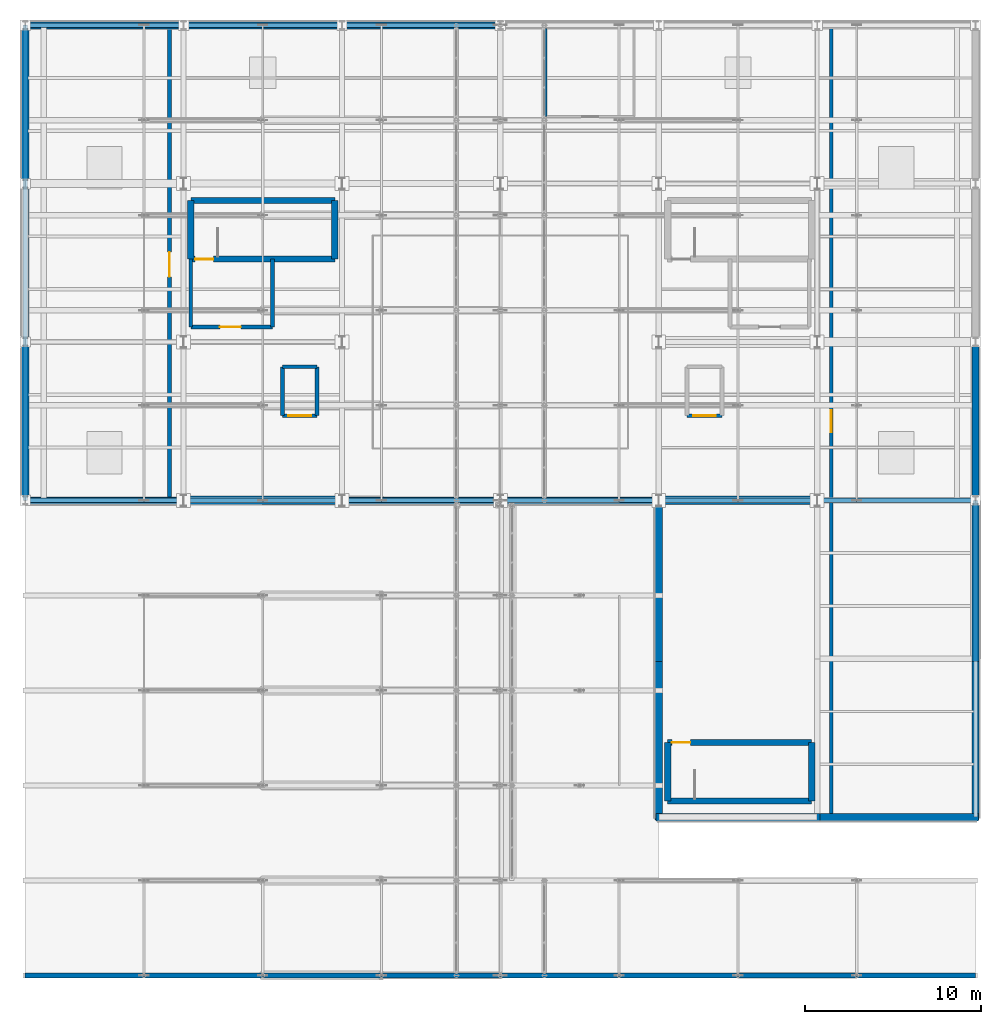
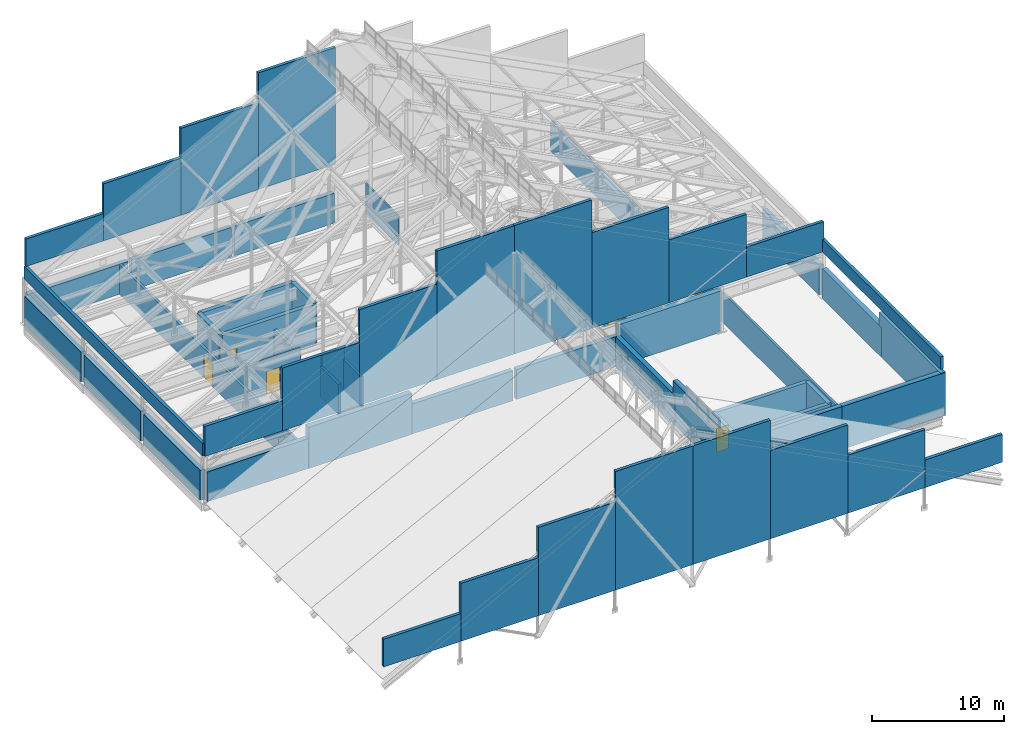
# One storey, part 82 of 84: 59 walls, 7 doors, 7 openings.
"""IFC4 building model written with IfcOpenShell, lengths in metres."""

from ifc_helpers import new_model, si_unit, direction, frame, frame_2d, origin, place, context, subcontext, project, spatial, rectangle, extrude, material, layer, layer_set, type_object, element, fill, save


model = new_model("IFC4")

# Units and contexts
model_context = context("Model", 3, precision=1e-05, world=origin(), true_north=direction((0.0, 1.0)))
body_context = subcontext(model_context, "Body", "Model", "MODEL_VIEW")
ifc_project = project(units=[si_unit("LENGTHUNIT", "METRE"), si_unit("AREAUNIT", "SQUARE_METRE"), si_unit("VOLUMEUNIT", "CUBIC_METRE"), si_unit("PLANEANGLEUNIT", "RADIAN"), si_unit("MASSUNIT", "GRAM", prefix="KILO")], contexts=[model_context])

# Site, building, storey
site_placement = place(None, origin())
site = spatial("IfcSite", under=ifc_project, at=site_placement, CompositionType="ELEMENT")
building_placement = place(site_placement, origin())
building = spatial("IfcBuilding", under=site, at=building_placement, Name="Sundgate Opera House", CompositionType="ELEMENT")
storey_placement = place(building_placement, frame((0.0, 0.0, 30.60009765625)))
storey = spatial("IfcBuildingStorey", under=building, at=storey_placement, Name="L06", CompositionType="ELEMENT", Elevation=30.60009765625)

# Wall, opening, door
ifc_material_1 = material(Name="Concrete C40/50", Category="concrete")
ifc_layer_1 = layer(ifc_material_1, 0.35009765625)
ifc_layer_set_1 = layer_set([ifc_layer_1], Name="Concrete C40/50")
wall_type_1 = type_object("IfcWallType", Name="WL-CORE-350", PredefinedType="SHEAR", material=ifc_layer_set_1)
wall_1_placement = place(storey_placement, frame((36.409912109375, 73.7099609375, 0.0), z_axis=(0.0, 0.0, 1.0), x_axis=(1.0, 0.0, 0.0)))
wall_1 = element("IfcWall", 1, at=wall_1_placement, inside=storey, type_object=wall_type_1, Name="L06 C2 South Shaft Wall", PredefinedType="SHEAR", context=body_context, shape_type="SweptSolid", body=[
    extrude(rectangle(XDim=8.18017578125, YDim=0.35009765625, at=frame_2d((4.090087890625, 0.0))), origin(), (0.0, 0.0, 1.0), 3.7998046875),
])
opening_1_placement = place(wall_1_placement, frame((0.239990234375, 0.0, 0.0)))
opening_1 = element("IfcOpeningElement", 2, at=opening_1_placement, cuts=wall_1, Name="Opening DI01", PredefinedType="OPENING", context=body_context, shape_type="SweptSolid", body=[
    extrude(rectangle(XDim=1.050048828125, YDim=2.179931640625, at=frame_2d((0.52490234375, 1.08984375))), frame((0.0, 0.18505859375, 0.0), z_axis=(0.0, -1.0, 0.0), x_axis=(1.0, 0.0, 0.0)), (0.0, 0.0, 1.0), 0.3701171875),
])
ifc_material_2 = material(Name="Acoustic hardwood timber and steel core", Category="steel")
door_type_1 = type_object("IfcDoorType", Name="DR-STAIR-1050x2180", OperationType="NOTDEFINED", PredefinedType="DOOR", material=ifc_material_2)
door_1_placement = place(opening_1_placement, origin())
door_1 = element("IfcDoor", 3, at=door_1_placement, inside=storey, type_object=door_type_1, Name="L06 C2 Stair Door D0046", OperationType="SINGLE_SWING_RIGHT", OverallHeight=2.179931640625, OverallWidth=1.050048828125, PredefinedType="DOOR", context=body_context, shape_type="SweptSolid", body=[
    extrude(rectangle(XDim=1.050048828125, YDim=2.179931640625, at=frame_2d((0.52490234375, 1.08984375))), frame((0.0, 0.02490234375, 0.0), z_axis=(0.0, -1.0, 0.0), x_axis=(1.0, 0.0, 0.0)), (0.0, 0.0, 1.0), 0.050048828125),
])
fill(opening_1, door_1)

# Walls
wall_2_placement = place(storey_placement, frame((36.409912109375, 77.0400390625, 0.0), z_axis=(0.0, 0.0, 1.0), x_axis=(1.0, 0.0, 0.0)))
element("IfcWall", 4, at=wall_2_placement, inside=storey, type_object=wall_type_1, Name="L06 C2 North Shaft Wall", PredefinedType="SHEAR", context=body_context, shape_type="SweptSolid", body=[
    extrude(rectangle(XDim=8.18017578125, YDim=0.35009765625, at=frame_2d((4.090087890625, 0.0))), origin(), (0.0, 0.0, 1.0), 3.7998046875),
])
for number, where, z_axis, x_axis, name in (
    (5, (36.409912109375, 73.7099609375, 0.0), (0.0, 0.0, 1.0), (0.0, 1.0, 0.0), "L06 C2 West Shaft Wall"),
    (6, (44.590087890625, 73.7099609375, 0.0), (0.0, 0.0, 1.0), (0.0, 1.0, 0.0), "L06 C2 East Shaft Wall"),
):
    element("IfcWall", number, at=place(storey_placement, frame(where, z_axis=z_axis, x_axis=x_axis)), inside=storey, type_object=wall_type_1, Name=name, PredefinedType="SHEAR", context=body_context, shape_type="SweptSolid", body=[
        extrude(rectangle(XDim=3.330078125, YDim=0.35009765625, at=frame_2d((1.6650390625, 0.0))), origin(), (0.0, 0.0, 1.0), 3.7998046875),
    ])
wall_3_placement = place(storey_placement, frame((63.510009765625, 42.909912109375, 0.0), z_axis=(0.0, 0.0, 1.0), x_axis=(1.0, 0.0, 0.0)))
element("IfcWall", 7, at=wall_3_placement, inside=storey, type_object=wall_type_1, Name="L06 C3 South Shaft Wall", PredefinedType="SHEAR", context=body_context, shape_type="SweptSolid", body=[
    extrude(rectangle(XDim=8.179931640625, YDim=0.35009765625, at=frame_2d((4.08984375, 0.0))), origin(), (0.0, 0.0, 1.0), 3.7998046875),
])

# Wall, opening, door
wall_4_placement = place(storey_placement, frame((63.510009765625, 46.239990234375, 0.0), z_axis=(0.0, 0.0, 1.0), x_axis=(1.0, 0.0, 0.0)))
wall_4 = element("IfcWall", 8, at=wall_4_placement, inside=storey, type_object=wall_type_1, Name="L06 C3 North Shaft Wall", PredefinedType="SHEAR", context=body_context, shape_type="SweptSolid", body=[
    extrude(rectangle(XDim=8.179931640625, YDim=0.35009765625, at=frame_2d((4.08984375, 0.0))), origin(), (0.0, 0.0, 1.0), 3.7998046875),
])
opening_2_placement = place(wall_4_placement, frame((0.239990234375, 0.0, 0.0)))
opening_2 = element("IfcOpeningElement", 9, at=opening_2_placement, cuts=wall_4, Name="Opening DI01", PredefinedType="OPENING", context=body_context, shape_type="SweptSolid", body=[
    extrude(rectangle(XDim=1.050048828125, YDim=2.179931640625, at=frame_2d((0.52490234375, 1.08984375))), frame((0.0, 0.18505859375, 0.0), z_axis=(0.0, -1.0, 0.0), x_axis=(1.0, 0.0, 0.0)), (0.0, 0.0, 1.0), 0.3701171875),
])
door_2_placement = place(opening_2_placement, origin())
door_2 = element("IfcDoor", 10, at=door_2_placement, inside=storey, type_object=door_type_1, Name="L06 C3 Stair Door D0055", OperationType="SINGLE_SWING_LEFT", OverallHeight=2.179931640625, OverallWidth=1.050048828125, PredefinedType="DOOR", context=body_context, shape_type="SweptSolid", body=[
    extrude(rectangle(XDim=1.050048828125, YDim=2.179931640625, at=frame_2d((0.52490234375, 1.08984375))), frame((0.0, 0.02490234375, 0.0), z_axis=(0.0, -1.0, 0.0), x_axis=(1.0, 0.0, 0.0)), (0.0, 0.0, 1.0), 0.050048828125),
])
fill(opening_2, door_2)

# Walls
for number, where, z_axis, x_axis, name in (
    (11, (63.510009765625, 42.909912109375, 0.0), (0.0, 0.0, 1.0), (0.0, 1.0, 0.0), "L06 C3 West Shaft Wall"),
    (12, (71.68994140625, 42.909912109375, 0.0), (0.0, 0.0, 1.0), (0.0, 1.0, 0.0), "L06 C3 East Shaft Wall"),
):
    element("IfcWall", number, at=place(storey_placement, frame(where, z_axis=z_axis, x_axis=x_axis)), inside=storey, type_object=wall_type_1, Name=name, PredefinedType="SHEAR", context=body_context, shape_type="SweptSolid", body=[
        extrude(rectangle(XDim=3.330078125, YDim=0.35009765625, at=frame_2d((1.6650390625, 0.0))), origin(), (0.0, 0.0, 1.0), 3.7998046875),
    ])
ifc_material_3 = material(Name="Vitrified stoneware trencadis and brick masonry", Category="masonry")
ifc_layer_2 = layer(ifc_material_3, 0.409912109375)
ifc_layer_set_2 = layer_set([ifc_layer_2], Name="Vitrified stoneware trencadis and brick masonry")
wall_type_2 = type_object("IfcWallType", Name="WL-EXT-TRENC-410", PredefinedType="SOLIDWALL", material=ifc_layer_set_2)
for number, where, z_axis, x_axis, name in (
    (13, (36.0, 60.0, 0.0), (0.0, 0.0, 1.0), (-1.0, 0.0, 0.0), "L06 Lifted Cube South Relief Wall W0141"),
    (14, (53.85498046875, 60.0, 0.0), (0.0, 0.0, 1.0), (-1.0, 0.0, 0.0), "L06 Lifted Cube South Relief Wall W0142"),
    (15, (63.0, 60.0, 0.0), (0.0, 0.0, 1.0), (-1.0, 0.0, 0.0), "L06 Lifted Cube South Relief Wall W0143"),
):
    element("IfcWall", number, at=place(storey_placement, frame(where, z_axis=z_axis, x_axis=x_axis)), inside=storey, type_object=wall_type_2, Name=name, PredefinedType="SOLIDWALL", context=body_context, shape_type="SweptSolid", body=[
        extrude(rectangle(XDim=8.85498046875, YDim=0.409912109375, at=frame_2d((4.427490234375, 0.0))), origin(), (0.0, 0.0, 1.0), 2.7548828125),
    ])
for number, where, z_axis, x_axis, name in (
    (16, (72.159912109375, 42.0, 0.0), (0.0, 0.0, 1.0), (-1.0, 0.0, 0.0), "L06 Lifted Cube South Relief Wall W0144"),
    (17, (81.159912109375, 42.0, 0.0), (0.0, 0.0, 1.0), (-1.0, 0.0, 0.0), "L06 Lifted Cube South Relief Wall W0145"),
    (18, (63.0, 51.159912109375, 0.0), (0.0, 0.0, 1.0), (0.0, -1.0, 0.0), "L06 Lifted Cube West Relief Wall W0146"),
):
    element("IfcWall", number, at=place(storey_placement, frame(where, z_axis=z_axis, x_axis=x_axis)), inside=storey, type_object=wall_type_2, Name=name, PredefinedType="SOLIDWALL", context=body_context, shape_type="SweptSolid", body=[
        extrude(rectangle(XDim=9.31982421875, YDim=0.409912109375, at=frame_2d((4.659912109375, 0.0))), origin(), (0.0, 0.0, 1.0), 3.954833984375),
    ])
wall_5_placement = place(storey_placement, frame((63.0, 60.0, 0.0), z_axis=(0.0, 0.0, 1.0), x_axis=(0.0, -1.0, 0.0)))
element("IfcWall", 19, at=wall_5_placement, inside=storey, type_object=wall_type_2, Name="L06 Lifted Cube West Relief Wall W0147", PredefinedType="SOLIDWALL", context=body_context, shape_type="SweptSolid", body=[
    extrude(rectangle(XDim=9.159912109375, YDim=0.409912109375, at=frame_2d((4.580078125, 0.0))), origin(), (0.0, 0.0, 1.0), 2.7548828125),
])
for number, where, z_axis, x_axis, name in (
    (20, (27.14501953125, 87.0, 0.0), (0.0, 0.0, 1.0), (1.0, 0.0, 0.0), "L06 Lifted Cube North Relief Wall W0148"),
    (21, (36.14501953125, 87.0, 0.0), (0.0, 0.0, 1.0), (1.0, 0.0, 0.0), "L06 Lifted Cube North Relief Wall W0149"),
    (22, (45.14501953125, 87.0, 0.0), (0.0, 0.0, 1.0), (1.0, 0.0, 0.0), "L06 Lifted Cube North Relief Wall W0150"),
):
    element("IfcWall", number, at=place(storey_placement, frame(where, z_axis=z_axis, x_axis=x_axis)), inside=storey, type_object=wall_type_2, Name=name, PredefinedType="SOLIDWALL", context=body_context, shape_type="SweptSolid", body=[
        extrude(rectangle(XDim=8.7099609375, YDim=0.409912109375, at=frame_2d((4.35498046875, 0.0))), origin(), (0.0, 0.0, 1.0), 2.7548828125),
    ])
for number, where, z_axis, x_axis, name in (
    (23, (27.0, 68.780029296875, 0.0), (0.0, 0.0, 1.0), (0.0, -1.0, 0.0), "L06 Lifted Cube West Relief Wall W0154"),
    (24, (27.0, 77.780029296875, 0.0), (0.0, 0.0, 1.0), (0.0, -1.0, 0.0), "L06 Lifted Cube West Relief Wall W0155"),
    (25, (27.0, 86.780029296875, 0.0), (0.0, 0.0, 1.0), (0.0, -1.0, 0.0), "L06 Lifted Cube West Relief Wall W0156"),
):
    element("IfcWall", number, at=place(storey_placement, frame(where, z_axis=z_axis, x_axis=x_axis)), inside=storey, type_object=wall_type_2, Name=name, PredefinedType="SOLIDWALL", context=body_context, shape_type="SweptSolid", body=[
        extrude(rectangle(XDim=8.56005859375, YDim=0.409912109375, at=frame_2d((4.280029296875, 0.0))), origin(), (0.0, 0.0, 1.0), 2.7548828125),
    ])
wall_6_placement = place(storey_placement, frame((81.0, 41.840087890625, 0.0), z_axis=(0.0, 0.0, 1.0), x_axis=(0.0, 1.0, 0.0)))
element("IfcWall", 26, at=wall_6_placement, inside=storey, type_object=wall_type_2, Name="L06 Lifted Cube East Relief Wall W0157", PredefinedType="SOLIDWALL", context=body_context, shape_type="SweptSolid", body=[
    extrude(rectangle(XDim=9.31982421875, YDim=0.409912109375, at=frame_2d((4.659912109375, 0.0))), origin(), (0.0, 0.0, 1.0), 3.954833984375),
])
wall_7_placement = place(storey_placement, frame((81.0, 50.840087890625, 0.0), z_axis=(0.0, 0.0, 1.0), x_axis=(0.0, 1.0, 0.0)))
element("IfcWall", 27, at=wall_7_placement, inside=storey, type_object=wall_type_2, Name="L06 Lifted Cube East Relief Wall W0158", PredefinedType="SOLIDWALL", context=body_context, shape_type="SweptSolid", body=[
    extrude(rectangle(XDim=8.93994140625, YDim=0.409912109375, at=frame_2d((4.469970703125, 0.0))), origin(), (0.0, 0.0, 1.0), 2.7548828125),
])
wall_8_placement = place(storey_placement, frame((81.0, 60.219970703125, 0.0), z_axis=(0.0, 0.0, 1.0), x_axis=(0.0, 1.0, 0.0)))
element("IfcWall", 28, at=wall_8_placement, inside=storey, type_object=wall_type_2, Name="L06 Lifted Cube East Relief Wall W0159", PredefinedType="SOLIDWALL", context=body_context, shape_type="SweptSolid", body=[
    extrude(rectangle(XDim=8.56005859375, YDim=0.409912109375, at=frame_2d((4.280029296875, 0.0))), origin(), (0.0, 0.0, 1.0), 2.7548828125),
])

# Wall, opening, door
ifc_material_4 = material(Name="Fire-rated gypsum and mineral-wool shaft partition", Category="gypsum")
ifc_layer_3 = layer(ifc_material_4, 0.219970703125)
ifc_layer_set_3 = layer_set([ifc_layer_3], Name="Fire-rated gypsum and mineral-wool shaft partition")
wall_type_3 = type_object("IfcWallType", Name="WL-INT-FIRE-220", PredefinedType="PARTITIONING", material=ifc_layer_set_3)
wall_9_placement = place(storey_placement, frame((36.409912109375, 69.85009765625, 0.0), z_axis=(0.0, 0.0, 1.0), x_axis=(1.0, 0.0, 0.0)))
wall_9 = element("IfcWall", 29, at=wall_9_placement, inside=storey, type_object=wall_type_3, Name="L06 C2 Firefighting Lobby South Wall", PredefinedType="PARTITIONING", context=body_context, shape_type="SweptSolid", body=[
    extrude(rectangle(XDim=4.64013671875, YDim=0.219970703125, at=frame_2d((2.320068359375, 0.0))), origin(), (0.0, 0.0, 1.0), 3.21484375),
])
opening_3_placement = place(wall_9_placement, frame((1.64990234375, 0.0, 0.0)))
opening_3 = element("IfcOpeningElement", 30, at=opening_3_placement, cuts=wall_9, Name="Opening DI02", PredefinedType="OPENING", context=body_context, shape_type="SweptSolid", body=[
    extrude(rectangle(XDim=1.199951171875, YDim=2.179931640625, at=frame_2d((0.60009765625, 1.08984375))), frame((0.0, 0.119873046875, 0.0), z_axis=(0.0, -1.0, 0.0), x_axis=(1.0, 0.0, 0.0)), (0.0, 0.0, 1.0), 0.239990234375),
])
ifc_material_5 = material(Name="Acoustic hardwood timber and steel core", Category="steel")
door_type_2 = type_object("IfcDoorType", Name="DR-FFLOB-1200x2180", OperationType="NOTDEFINED", PredefinedType="DOOR", material=ifc_material_5)
door_3_placement = place(opening_3_placement, origin())
door_3 = element("IfcDoor", 31, at=door_3_placement, inside=storey, type_object=door_type_2, Name="L06 C2 Firefighting Lobby Door D0047", OperationType="SINGLE_SWING_LEFT", OverallHeight=2.179931640625, OverallWidth=1.199951171875, PredefinedType="DOOR", context=body_context, shape_type="SweptSolid", body=[
    extrude(rectangle(XDim=1.199951171875, YDim=2.179931640625, at=frame_2d((0.60009765625, 1.08984375))), frame((0.0, 0.02490234375, 0.0), z_axis=(0.0, -1.0, 0.0), x_axis=(1.0, 0.0, 0.0)), (0.0, 0.0, 1.0), 0.050048828125),
])
fill(opening_3, door_3)

# Walls
for number, where, z_axis, x_axis, name in (
    (32, (36.409912109375, 69.85009765625, 0.0), (0.0, 0.0, 1.0), (0.0, 1.0, 0.0), "L06 C2 Firefighting Lobby West Wall"),
    (33, (41.050048828125, 69.85009765625, 0.0), (0.0, 0.0, 1.0), (0.0, 1.0, 0.0), "L06 C2 Firefighting Lobby East Wall"),
):
    element("IfcWall", number, at=place(storey_placement, frame(where, z_axis=z_axis, x_axis=x_axis)), inside=storey, type_object=wall_type_3, Name=name, PredefinedType="PARTITIONING", context=body_context, shape_type="SweptSolid", body=[
        extrude(rectangle(XDim=3.85986328125, YDim=0.219970703125, at=frame_2d((1.929931640625, 0.0))), origin(), (0.0, 0.0, 1.0), 2.7548828125),
    ])

# Wall, opening, door
wall_10_placement = place(storey_placement, frame((41.610107421875, 64.81005859375, 0.0), z_axis=(0.0, 0.0, 1.0), x_axis=(1.0, 0.0, 0.0)))
wall_10 = element("IfcWall", 34, at=wall_10_placement, inside=storey, type_object=wall_type_3, Name="L06 FF1 South Shaft Wall", PredefinedType="PARTITIONING", context=body_context, shape_type="SweptSolid", body=[
    extrude(rectangle(XDim=1.97998046875, YDim=0.219970703125, at=frame_2d((0.989990234375, 0.0))), origin(), (0.0, 0.0, 1.0), 3.764892578125),
])
opening_4_placement = place(wall_10_placement, frame((0.340087890625, 0.0, 0.0)))
opening_4 = element("IfcOpeningElement", 35, at=opening_4_placement, cuts=wall_10, Name="Opening LD2", PredefinedType="OPENING", context=body_context, shape_type="SweptSolid", body=[
    extrude(rectangle(XDim=1.300048828125, YDim=2.199951171875, at=frame_2d((0.64990234375, 1.10009765625))), frame((0.0, 0.119873046875, 0.0), z_axis=(0.0, -1.0, 0.0), x_axis=(1.0, 0.0, 0.0)), (0.0, 0.0, 1.0), 0.239990234375),
])
ifc_material_6 = material(Name="Brushed stainless steel EN 1.4301", Category="steel")
door_type_3 = type_object("IfcDoorType", Name="DR-LIFT-1300x2200", OperationType="DOUBLE_DOOR_SLIDING", PredefinedType="DOOR", material=ifc_material_6)
door_4_placement = place(opening_4_placement, origin())
door_4 = element("IfcDoor", 36, at=door_4_placement, inside=storey, type_object=door_type_3, Name="L06 FF1 Landing Door D0135", OperationType="DOUBLE_DOOR_SLIDING", OverallHeight=2.199951171875, OverallWidth=1.300048828125, PredefinedType="DOOR", context=body_context, shape_type="SweptSolid", body=[
    extrude(rectangle(XDim=1.300048828125, YDim=2.199951171875, at=frame_2d((0.64990234375, 1.10009765625))), frame((0.0, 0.02490234375, 0.0), z_axis=(0.0, -1.0, 0.0), x_axis=(1.0, 0.0, 0.0)), (0.0, 0.0, 1.0), 0.050048828125),
])
fill(opening_4, door_4)

# Walls
wall_11_placement = place(storey_placement, frame((41.610107421875, 67.590087890625, 0.0), z_axis=(0.0, 0.0, 1.0), x_axis=(1.0, 0.0, 0.0)))
element("IfcWall", 37, at=wall_11_placement, inside=storey, type_object=wall_type_3, Name="L06 FF1 North Shaft Wall", PredefinedType="PARTITIONING", context=body_context, shape_type="SweptSolid", body=[
    extrude(rectangle(XDim=1.97998046875, YDim=0.219970703125, at=frame_2d((0.989990234375, 0.0))), origin(), (0.0, 0.0, 1.0), 3.764892578125),
])
for number, where, z_axis, x_axis, name in (
    (38, (41.610107421875, 64.81005859375, 0.0), (0.0, 0.0, 1.0), (0.0, 1.0, 0.0), "L06 FF1 West Shaft Wall"),
    (39, (43.590087890625, 64.81005859375, 0.0), (0.0, 0.0, 1.0), (0.0, 1.0, 0.0), "L06 FF1 East Shaft Wall"),
):
    element("IfcWall", number, at=place(storey_placement, frame(where, z_axis=z_axis, x_axis=x_axis)), inside=storey, type_object=wall_type_3, Name=name, PredefinedType="PARTITIONING", context=body_context, shape_type="SweptSolid", body=[
        extrude(rectangle(XDim=2.780029296875, YDim=0.219970703125, at=frame_2d((1.39013671875, 0.0))), origin(), (0.0, 0.0, 1.0), 2.7548828125),
    ])

# Wall, opening, door
wall_12_placement = place(storey_placement, frame((64.610107421875, 64.81005859375, 0.0), z_axis=(0.0, 0.0, 1.0), x_axis=(1.0, 0.0, 0.0)))
wall_12 = element("IfcWall", 40, at=wall_12_placement, inside=storey, type_object=wall_type_3, Name="L06 FF2 South Shaft Wall", PredefinedType="PARTITIONING", context=body_context, shape_type="SweptSolid", body=[
    extrude(rectangle(XDim=1.97998046875, YDim=0.219970703125, at=frame_2d((0.989990234375, 0.0))), origin(), (0.0, 0.0, 1.0), 3.764892578125),
])
opening_5_placement = place(wall_12_placement, frame((0.340087890625, 0.0, 0.0)))
opening_5 = element("IfcOpeningElement", 41, at=opening_5_placement, cuts=wall_12, Name="Opening LD2", PredefinedType="OPENING", context=body_context, shape_type="SweptSolid", body=[
    extrude(rectangle(XDim=1.300048828125, YDim=2.199951171875, at=frame_2d((0.64990234375, 1.10009765625))), frame((0.0, 0.119873046875, 0.0), z_axis=(0.0, -1.0, 0.0), x_axis=(1.0, 0.0, 0.0)), (0.0, 0.0, 1.0), 0.239990234375),
])
door_5_placement = place(opening_5_placement, origin())
door_5 = element("IfcDoor", 42, at=door_5_placement, inside=storey, type_object=door_type_3, Name="L06 FF2 Landing Door D0143", OperationType="DOUBLE_DOOR_SLIDING", OverallHeight=2.199951171875, OverallWidth=1.300048828125, PredefinedType="DOOR", context=body_context, shape_type="SweptSolid", body=[
    extrude(rectangle(XDim=1.300048828125, YDim=2.199951171875, at=frame_2d((0.64990234375, 1.10009765625))), frame((0.0, 0.02490234375, 0.0), z_axis=(0.0, -1.0, 0.0), x_axis=(1.0, 0.0, 0.0)), (0.0, 0.0, 1.0), 0.050048828125),
])
fill(opening_5, door_5)

wall_13_placement = place(storey_placement, frame((35.199951171875, 60.0, 0.0), z_axis=(0.0, 0.0, 1.0), x_axis=(0.0, 1.0, 0.0)))
wall_13 = element("IfcWall", 43, at=wall_13_placement, inside=storey, type_object=wall_type_3, Name="L06 Interior Partition W1096", PredefinedType="PARTITIONING", context=body_context, shape_type="SweptSolid", body=[
    extrude(rectangle(XDim=26.800048828125, YDim=0.219970703125, at=frame_2d((13.39990234375, 0.0))), origin(), (0.0, 0.0, 1.0), 2.7548828125),
])
opening_6_placement = place(wall_13_placement, frame((12.699951171875, 0.0, 0.0)))
opening_6 = element("IfcOpeningElement", 44, at=opening_6_placement, cuts=wall_13, Name="Opening DI09", PredefinedType="OPENING", context=body_context, shape_type="SweptSolid", body=[
    extrude(rectangle(XDim=1.39990234375, YDim=2.179931640625, at=frame_2d((0.699951171875, 1.08984375))), frame((0.0, 0.119873046875, 0.0), z_axis=(0.0, -1.0, 0.0), x_axis=(1.0, 0.0, 0.0)), (0.0, 0.0, 1.0), 0.239990234375),
])
ifc_material_7 = material(Name="Acoustic hardwood timber and steel core", Category="steel")
door_type_4 = type_object("IfcDoorType", Name="DR-PLANT-1400x2180", OperationType="DOUBLE_DOOR_SINGLE_SWING", PredefinedType="DOOR", material=ifc_material_7)
door_6_placement = place(opening_6_placement, origin())
door_6 = element("IfcDoor", 45, at=door_6_placement, inside=storey, type_object=door_type_4, Name="L06 Interior Door D0244", OperationType="DOUBLE_DOOR_SINGLE_SWING", OverallHeight=2.179931640625, OverallWidth=1.39990234375, PredefinedType="DOOR", context=body_context, shape_type="SweptSolid", body=[
    extrude(rectangle(XDim=1.39990234375, YDim=2.179931640625, at=frame_2d((0.699951171875, 1.08984375))), frame((0.0, 0.02490234375, 0.0), z_axis=(0.0, -1.0, 0.0), x_axis=(1.0, 0.0, 0.0)), (0.0, 0.0, 1.0), 0.050048828125),
])
fill(opening_6, door_6)

ifc_material_8 = material(Name="Acoustic rehearsal stud partition", Category="gypsum")
ifc_layer_4 = layer(ifc_material_8, 0.175048828125)
ifc_layer_set_4 = layer_set([ifc_layer_4], Name="Acoustic rehearsal stud partition")
wall_type_4 = type_object("IfcWallType", Name="WL-INT-PART-175", PredefinedType="PARTITIONING", material=ifc_layer_set_4)
wall_14_placement = place(storey_placement, frame((72.800048828125, 42.199951171875, 0.0), z_axis=(0.0, 0.0, 1.0), x_axis=(0.0, 1.0, 0.0)))
wall_14 = element("IfcWall", 46, at=wall_14_placement, inside=storey, type_object=wall_type_4, Name="L06 Interior Partition W1097", PredefinedType="PARTITIONING", context=body_context, shape_type="SweptSolid", body=[
    extrude(rectangle(XDim=44.60009765625, YDim=0.175048828125, at=frame_2d((22.300048828125, 0.0))), origin(), (0.0, 0.0, 1.0), 2.7548828125),
])
opening_7_placement = place(wall_14_placement, frame((21.675048828125, 0.0, 0.0)))
opening_7 = element("IfcOpeningElement", 47, at=opening_7_placement, cuts=wall_14, Name="Opening DI16", PredefinedType="OPENING", context=body_context, shape_type="SweptSolid", body=[
    extrude(rectangle(XDim=1.25, YDim=2.159912109375, at=frame_2d((0.625, 1.080078125))), frame((0.0, 0.097412109375, 0.0), z_axis=(0.0, -1.0, 0.0), x_axis=(1.0, 0.0, 0.0)), (0.0, 0.0, 1.0), 0.195068359375),
])
ifc_material_9 = material(Name="Acoustic hardwood timber and steel core", Category="steel")
door_type_5 = type_object("IfcDoorType", Name="DR-TECH-1250x2160", OperationType="NOTDEFINED", PredefinedType="DOOR", material=ifc_material_9)
door_7_placement = place(opening_7_placement, origin())
door_7 = element("IfcDoor", 48, at=door_7_placement, inside=storey, type_object=door_type_5, Name="L06 Interior Door D0245", OperationType="SINGLE_SWING_LEFT", OverallHeight=2.159912109375, OverallWidth=1.25, PredefinedType="DOOR", context=body_context, shape_type="SweptSolid", body=[
    extrude(rectangle(XDim=1.25, YDim=2.159912109375, at=frame_2d((0.625, 1.080078125))), frame((0.0, 0.02490234375, 0.0), z_axis=(0.0, -1.0, 0.0), x_axis=(1.0, 0.0, 0.0)), (0.0, 0.0, 1.0), 0.050048828125),
])
fill(opening_7, door_7)

# Walls
ifc_material_10 = material(Name="Moisture-resistant sanitary partition", Category="gypsum")
ifc_layer_5 = layer(ifc_material_10, 0.114990234375)
ifc_layer_set_5 = layer_set([ifc_layer_5], Name="Moisture-resistant sanitary partition")
wall_type_5 = type_object("IfcWallType", Name="WL-INT-WET-115", PredefinedType="PARTITIONING", material=ifc_layer_set_5)
wall_15_placement = place(storey_placement, frame((56.60009765625, 81.800048828125, 0.0), z_axis=(0.0, 0.0, 1.0), x_axis=(0.0, 1.0, 0.0)))
element("IfcWall", 49, at=wall_15_placement, inside=storey, type_object=wall_type_5, Name="L06 Interior Partition W1099", PredefinedType="PARTITIONING", context=body_context, shape_type="SweptSolid", body=[
    extrude(rectangle(XDim=5.0, YDim=0.114990234375, at=frame_2d((2.5, 0.0))), origin(), (0.0, 0.0, 1.0), 2.7548828125),
])
ifc_material_11 = material(Name="Komstad limestone ashlar masonry", Category="masonry")
ifc_layer_6 = layer(ifc_material_11, 0.27001953125)
ifc_layer_set_6 = layer_set([ifc_layer_6], Name="Komstad limestone ashlar masonry")
wall_type_6 = type_object("IfcWallType", Name="WL-PAR-LIME-270", PredefinedType="PARAPET", material=ifc_layer_set_6)
wall_16_placement = place(storey_placement, frame((27.0, 33.0, 1.159912109375), z_axis=(0.0, 0.0, 1.0), x_axis=(1.0, 0.0, 0.0)))
element("IfcWall", 50, at=wall_16_placement, inside=storey, type_object=wall_type_6, Name="L06 South Auditorium Gable Closure W0438", PredefinedType="PARAPET", context=body_context, shape_type="SweptSolid", body=[
    extrude(rectangle(XDim=6.75, YDim=0.27001953125, at=frame_2d((3.375, 0.0))), origin(), (0.0, 0.0, 1.0), 2.56103515625),
])
wall_17_placement = place(storey_placement, frame((33.75, 33.0, 1.159912109375), z_axis=(0.0, 0.0, 1.0), x_axis=(1.0, 0.0, 0.0)))
element("IfcWall", 51, at=wall_17_placement, inside=storey, type_object=wall_type_6, Name="L06 South Auditorium Gable Closure W0439", PredefinedType="PARAPET", context=body_context, shape_type="SweptSolid", body=[
    extrude(rectangle(XDim=6.75, YDim=0.27001953125, at=frame_2d((3.375, 0.0))), origin(), (0.0, 0.0, 1.0), 5.35400390625),
])
wall_18_placement = place(storey_placement, frame((40.5, 33.0, 1.159912109375), z_axis=(0.0, 0.0, 1.0), x_axis=(1.0, 0.0, 0.0)))
element("IfcWall", 52, at=wall_18_placement, inside=storey, type_object=wall_type_6, Name="L06 South Auditorium Gable Closure W0440", PredefinedType="PARAPET", context=body_context, shape_type="SweptSolid", body=[
    extrude(rectangle(XDim=6.75, YDim=0.27001953125, at=frame_2d((3.375, 0.0))), origin(), (0.0, 0.0, 1.0), 8.14794921875),
])
for number, where, z_axis, x_axis, name in (
    (53, (47.25, 33.0, 1.159912109375), (0.0, 0.0, 1.0), (1.0, 0.0, 0.0), "L06 South Auditorium Gable Closure W0441"),
    (54, (54.0, 33.0, 1.159912109375), (0.0, 0.0, 1.0), (1.0, 0.0, 0.0), "L06 South Auditorium Gable Closure W0442"),
):
    element("IfcWall", number, at=place(storey_placement, frame(where, z_axis=z_axis, x_axis=x_axis)), inside=storey, type_object=wall_type_6, Name=name, PredefinedType="PARAPET", context=body_context, shape_type="SweptSolid", body=[
        extrude(rectangle(XDim=6.75, YDim=0.27001953125, at=frame_2d((3.375, 0.0))), origin(), (0.0, 0.0, 1.0), 10.94189453125),
    ])
wall_19_placement = place(storey_placement, frame((60.75, 33.0, 1.159912109375), z_axis=(0.0, 0.0, 1.0), x_axis=(1.0, 0.0, 0.0)))
element("IfcWall", 55, at=wall_19_placement, inside=storey, type_object=wall_type_6, Name="L06 South Auditorium Gable Closure W0443", PredefinedType="PARAPET", context=body_context, shape_type="SweptSolid", body=[
    extrude(rectangle(XDim=6.75, YDim=0.27001953125, at=frame_2d((3.375, 0.0))), origin(), (0.0, 0.0, 1.0), 8.14794921875),
])
wall_20_placement = place(storey_placement, frame((67.5, 33.0, 1.159912109375), z_axis=(0.0, 0.0, 1.0), x_axis=(1.0, 0.0, 0.0)))
element("IfcWall", 56, at=wall_20_placement, inside=storey, type_object=wall_type_6, Name="L06 South Auditorium Gable Closure W0444", PredefinedType="PARAPET", context=body_context, shape_type="SweptSolid", body=[
    extrude(rectangle(XDim=6.75, YDim=0.27001953125, at=frame_2d((3.375, 0.0))), origin(), (0.0, 0.0, 1.0), 5.35400390625),
])
wall_21_placement = place(storey_placement, frame((74.25, 33.0, 1.159912109375), z_axis=(0.0, 0.0, 1.0), x_axis=(1.0, 0.0, 0.0)))
element("IfcWall", 57, at=wall_21_placement, inside=storey, type_object=wall_type_6, Name="L06 South Auditorium Gable Closure W0445", PredefinedType="PARAPET", context=body_context, shape_type="SweptSolid", body=[
    extrude(rectangle(XDim=6.75, YDim=0.27001953125, at=frame_2d((3.375, 0.0))), origin(), (0.0, 0.0, 1.0), 2.56103515625),
])
wall_22_placement = place(storey_placement, frame((27.0, 60.0, 4.199951171875), z_axis=(0.0, 0.0, 1.0), x_axis=(1.0, 0.0, 0.0)))
element("IfcWall", 58, at=wall_22_placement, inside=storey, type_object=wall_type_6, Name="L06 Center Fly-Tower Step Gable Closure W0446", PredefinedType="PARAPET", context=body_context, shape_type="SweptSolid", body=[
    extrude(rectangle(XDim=6.75, YDim=0.27001953125, at=frame_2d((3.375, 0.0))), origin(), (0.0, 0.0, 1.0), 2.77197265625),
])
wall_23_placement = place(storey_placement, frame((33.75, 60.0, 4.199951171875), z_axis=(0.0, 0.0, 1.0), x_axis=(1.0, 0.0, 0.0)))
element("IfcWall", 59, at=wall_23_placement, inside=storey, type_object=wall_type_6, Name="L06 Center Fly-Tower Step Gable Closure W0447", PredefinedType="PARAPET", context=body_context, shape_type="SweptSolid", body=[
    extrude(rectangle(XDim=6.75, YDim=0.27001953125, at=frame_2d((3.375, 0.0))), origin(), (0.0, 0.0, 1.0), 5.7958984375),
])
wall_24_placement = place(storey_placement, frame((40.5, 60.0, 4.199951171875), z_axis=(0.0, 0.0, 1.0), x_axis=(1.0, 0.0, 0.0)))
element("IfcWall", 60, at=wall_24_placement, inside=storey, type_object=wall_type_6, Name="L06 Center Fly-Tower Step Gable Closure W0448", PredefinedType="PARAPET", context=body_context, shape_type="SweptSolid", body=[
    extrude(rectangle(XDim=6.75, YDim=0.27001953125, at=frame_2d((3.375, 0.0))), origin(), (0.0, 0.0, 1.0), 8.820068359375),
])
for number, where, z_axis, x_axis, name in (
    (61, (47.25, 60.0, 4.199951171875), (0.0, 0.0, 1.0), (1.0, 0.0, 0.0), "L06 Center Fly-Tower Step Gable Closure W0449"),
    (62, (54.0, 60.0, 4.199951171875), (0.0, 0.0, 1.0), (1.0, 0.0, 0.0), "L06 Center Fly-Tower Step Gable Closure W0450"),
):
    element("IfcWall", number, at=place(storey_placement, frame(where, z_axis=z_axis, x_axis=x_axis)), inside=storey, type_object=wall_type_6, Name=name, PredefinedType="PARAPET", context=body_context, shape_type="SweptSolid", body=[
        extrude(rectangle(XDim=6.75, YDim=0.27001953125, at=frame_2d((3.375, 0.0))), origin(), (0.0, 0.0, 1.0), 11.843994140625),
    ])
wall_25_placement = place(storey_placement, frame((60.75, 60.0, 4.199951171875), z_axis=(0.0, 0.0, 1.0), x_axis=(1.0, 0.0, 0.0)))
element("IfcWall", 63, at=wall_25_placement, inside=storey, type_object=wall_type_6, Name="L06 Center Fly-Tower Step Gable Closure W0451", PredefinedType="PARAPET", context=body_context, shape_type="SweptSolid", body=[
    extrude(rectangle(XDim=6.75, YDim=0.27001953125, at=frame_2d((3.375, 0.0))), origin(), (0.0, 0.0, 1.0), 8.820068359375),
])
wall_26_placement = place(storey_placement, frame((67.5, 60.0, 4.199951171875), z_axis=(0.0, 0.0, 1.0), x_axis=(1.0, 0.0, 0.0)))
element("IfcWall", 64, at=wall_26_placement, inside=storey, type_object=wall_type_6, Name="L06 Center Fly-Tower Step Gable Closure W0452", PredefinedType="PARAPET", context=body_context, shape_type="SweptSolid", body=[
    extrude(rectangle(XDim=6.75, YDim=0.27001953125, at=frame_2d((3.375, 0.0))), origin(), (0.0, 0.0, 1.0), 5.7958984375),
])
wall_27_placement = place(storey_placement, frame((74.25, 60.0, 4.199951171875), z_axis=(0.0, 0.0, 1.0), x_axis=(1.0, 0.0, 0.0)))
element("IfcWall", 65, at=wall_27_placement, inside=storey, type_object=wall_type_6, Name="L06 Center Fly-Tower Step Gable Closure W0453", PredefinedType="PARAPET", context=body_context, shape_type="SweptSolid", body=[
    extrude(rectangle(XDim=6.75, YDim=0.27001953125, at=frame_2d((3.375, 0.0))), origin(), (0.0, 0.0, 1.0), 2.77197265625),
])
wall_28_placement = place(storey_placement, frame((27.0, 87.0, 5.35986328125), z_axis=(0.0, 0.0, 1.0), x_axis=(1.0, 0.0, 0.0)))
element("IfcWall", 66, at=wall_28_placement, inside=storey, type_object=wall_type_6, Name="L06 North Fly-Tower Gable Closure W0454", PredefinedType="PARAPET", context=body_context, shape_type="SweptSolid", body=[
    extrude(rectangle(XDim=6.75, YDim=0.27001953125, at=frame_2d((3.375, 0.0))), origin(), (0.0, 0.0, 1.0), 2.51708984375),
])
wall_29_placement = place(storey_placement, frame((33.75, 87.0, 5.35986328125), z_axis=(0.0, 0.0, 1.0), x_axis=(1.0, 0.0, 0.0)))
element("IfcWall", 67, at=wall_29_placement, inside=storey, type_object=wall_type_6, Name="L06 North Fly-Tower Gable Closure W0455", PredefinedType="PARAPET", context=body_context, shape_type="SweptSolid", body=[
    extrude(rectangle(XDim=6.75, YDim=0.27001953125, at=frame_2d((3.375, 0.0))), origin(), (0.0, 0.0, 1.0), 5.261962890625),
])
wall_30_placement = place(storey_placement, frame((40.5, 87.0, 5.35986328125), z_axis=(0.0, 0.0, 1.0), x_axis=(1.0, 0.0, 0.0)))
element("IfcWall", 68, at=wall_30_placement, inside=storey, type_object=wall_type_6, Name="L06 North Fly-Tower Gable Closure W0456", PredefinedType="PARAPET", context=body_context, shape_type="SweptSolid", body=[
    extrude(rectangle(XDim=6.75, YDim=0.27001953125, at=frame_2d((3.375, 0.0))), origin(), (0.0, 0.0, 1.0), 8.008056640625),
])
wall_31_placement = place(storey_placement, frame((47.25, 87.0, 5.35986328125), z_axis=(0.0, 0.0, 1.0), x_axis=(1.0, 0.0, 0.0)))
element("IfcWall", 69, at=wall_31_placement, inside=storey, type_object=wall_type_6, Name="L06 North Fly-Tower Gable Closure W0457", PredefinedType="PARAPET", context=body_context, shape_type="SweptSolid", body=[
    extrude(rectangle(XDim=6.75, YDim=0.27001953125, at=frame_2d((3.375, 0.0))), origin(), (0.0, 0.0, 1.0), 10.754150390625),
])
wall_32_placement = place(storey_placement, frame((27.0, 60.0, 4.199951171875), z_axis=(0.0, 0.0, 1.0), x_axis=(0.0, 1.0, 0.0)))
element("IfcWall", 70, at=wall_32_placement, inside=storey, type_object=wall_type_6, Name="L06 Roof Parapet W0463", PredefinedType="PARAPET", context=body_context, shape_type="SweptSolid", body=[
    extrude(rectangle(XDim=27.0, YDim=0.27001953125, at=frame_2d((13.5, 0.0))), origin(), (0.0, 0.0, 1.0), 1.14990234375),
])
wall_33_placement = place(storey_placement, frame((81.0, 42.0, 4.199951171875), z_axis=(0.0, 0.0, 1.0), x_axis=(0.0, 1.0, 0.0)))
element("IfcWall", 71, at=wall_33_placement, inside=storey, type_object=wall_type_6, Name="L06 Roof Parapet W0468", PredefinedType="PARAPET", context=body_context, shape_type="SweptSolid", body=[
    extrude(rectangle(XDim=18.0, YDim=0.27001953125, at=frame_2d((9.0, 0.0))), origin(), (0.0, 0.0, 1.0), 1.14990234375),
])
ifc_material_12 = material(Name="Concrete C40/50", Category="concrete")
ifc_layer_7 = layer(ifc_material_12, 0.47998046875)
ifc_layer_set_7 = layer_set([ifc_layer_7], Name="Concrete C40/50")
wall_type_7 = type_object("IfcWallType", Name="WL-PROS-480", PredefinedType="SHEAR", material=ifc_layer_set_7)
for number, where, z_axis, x_axis, name in (
    (72, (36.0, 60.0, 0.0), (0.0, 0.0, 1.0), (1.0, 0.0, 0.0), "L06 Proscenium Shear Wall W0022"),
    (73, (63.0, 60.0, 0.0), (0.0, 0.0, 1.0), (1.0, 0.0, 0.0), "L06 Proscenium Shear Wall W0023"),
):
    element("IfcWall", number, at=place(storey_placement, frame(where, z_axis=z_axis, x_axis=x_axis)), inside=storey, type_object=wall_type_7, Name=name, PredefinedType="SHEAR", context=body_context, shape_type="SweptSolid", body=[
        extrude(rectangle(XDim=9.0, YDim=0.47998046875, at=frame_2d((4.5, 0.0))), origin(), (0.0, 0.0, 1.0), 3.7998046875),
    ])

save(model, "model.ifc")
